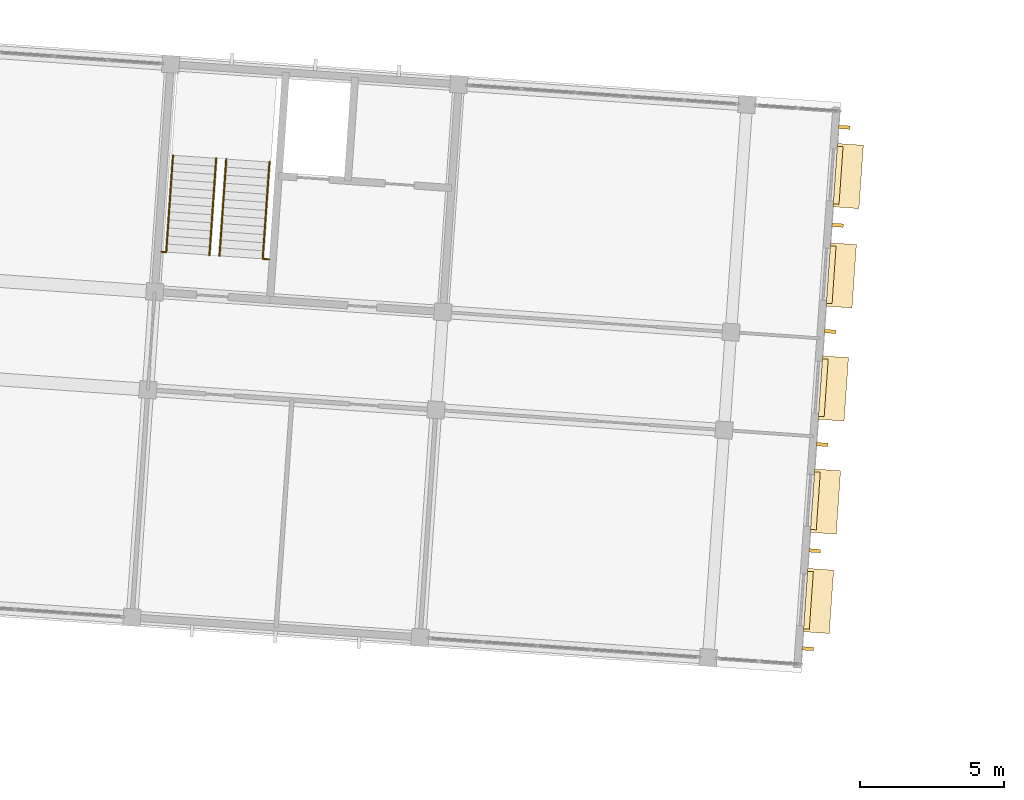
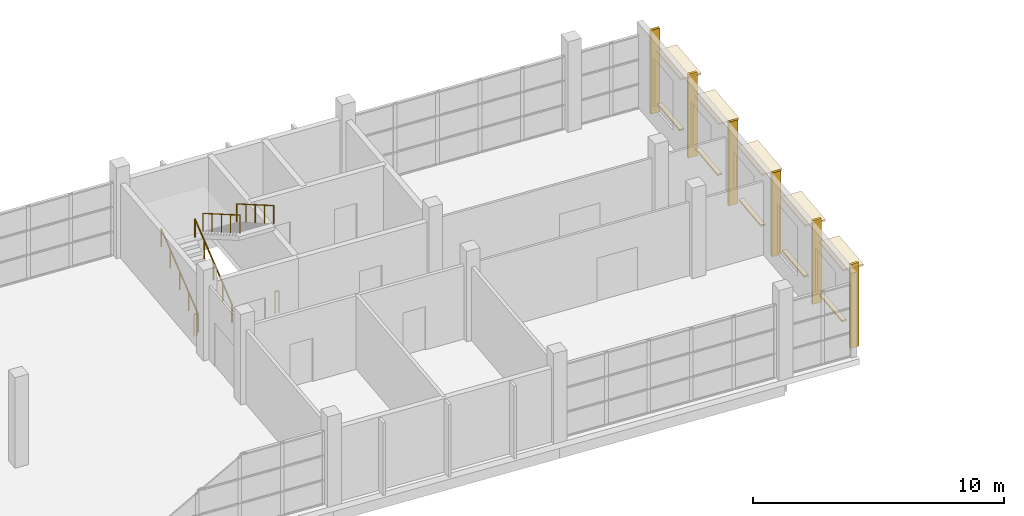
# One storey, part 113 of 115: 10 coverings, 6 railings, 6 shading devices.
"""IFC4 building model written with IfcOpenShell, lengths in metres."""

from ifc_helpers import new_model, si_unit, direction, frame, origin, origin_2d, place, context, subcontext, project, spatial, polyline, circle, outline, extrude, material, layer, layer_set, type_object, element, save


model = new_model("IFC4")

# Units and contexts
model_context = context("Model", 3, precision=1e-05, world=origin(), true_north=direction((0.0, 1.0)))
body_context = subcontext(model_context, "Body", "Model", "MODEL_VIEW")
ifc_project = project(units=[si_unit("LENGTHUNIT", "METRE"), si_unit("AREAUNIT", "SQUARE_METRE"), si_unit("VOLUMEUNIT", "CUBIC_METRE"), si_unit("PLANEANGLEUNIT", "RADIAN"), si_unit("MASSUNIT", "GRAM", prefix="KILO")], contexts=[model_context])

# Site, building, storey
site_placement = place(None, origin())
site = spatial("IfcSite", under=ifc_project, at=site_placement, CompositionType="ELEMENT")
building_placement = place(site_placement, origin())
building = spatial("IfcBuilding", under=site, at=building_placement, Name="Windward Yard Aquatics Centre", CompositionType="ELEMENT")
storey_placement = place(building_placement, frame((0.0, 0.0, 5.0)))
storey = spatial("IfcBuildingStorey", under=building, at=storey_placement, Name="L01", CompositionType="ELEMENT", Elevation=5.0)

# Railings
ifc_material_1 = material(Name="Stainless steel 1.4529", Category="steel")
railing_type_1 = type_object("IfcRailingType", Name="W guard 1100", PredefinedType="GUARDRAIL", material=ifc_material_1)
railing_1_placement = place(storey_placement, frame((148.7763671875, 126.735107421875, 0.0)))
element("IfcRailing", 1, at=railing_1_placement, inside=storey, type_object=railing_type_1, Name="W.GS.E.L01.1", PredefinedType="GUARDRAIL", context=body_context, shape_type="SweptSolid", body=[
    extrude(circle(Radius=0.02392578125, at=origin_2d()), frame((0.0, 0.0, 1.076171875), z_axis=(0.997662565173, -0.068333052409, 0.0), x_axis=(0.068333052409, 0.997662565173, 0.0)), (0.0, 0.0, 1.0), 0.125),
    extrude(circle(Radius=0.02099609375, at=origin_2d()), origin(), (0.0, 0.0, 1.0), 1.052001953125),
    extrude(circle(Radius=0.02099609375, at=origin_2d()), frame((0.124755859375, -0.008544921875, 0.0)), (0.0, 0.0, 1.0), 1.052001953125),
])
railing_2_placement = place(storey_placement, frame((152.3427734375, 126.48583984375, 0.0)))
element("IfcRailing", 2, at=railing_2_placement, inside=storey, type_object=railing_type_1, Name="W.GS.E.L01.2", PredefinedType="GUARDRAIL", context=body_context, shape_type="SweptSolid", body=[
    extrude(circle(Radius=0.02392578125, at=origin_2d()), frame((0.0, 0.0, 1.076171875), z_axis=(0.997563824095, -0.069759707979, 0.0), x_axis=(0.069759707979, 0.997563824095, 0.0)), (0.0, 0.0, 1.0), 0.175048828125),
    extrude(circle(Radius=0.02099609375, at=origin_2d()), origin(), (0.0, 0.0, 1.0), 1.052001953125),
    extrude(circle(Radius=0.02099609375, at=origin_2d()), frame((0.174560546875, -0.01220703125, 0.0)), (0.0, 0.0, 1.0), 1.052001953125),
])
ifc_material_2 = material(Name="Stainless steel 1.4401", Category="steel")
railing_type_2 = type_object("IfcRailingType", Name="W handrail 900", PredefinedType="HANDRAIL", material=ifc_material_2)
for number, where, name in (
    (3, (148.950927734375, 126.722900390625, 0.169189453125), "W.HR.E.L01.1L"),
    (4, (150.447265625, 126.618408203125, 0.169189453125), "W.HR.E.L01.1R"),
):
    element("IfcRailing", number, at=place(storey_placement, frame(where)), inside=storey, type_object=railing_type_2, Name=name, PredefinedType="HANDRAIL", context=body_context, shape_type="SweptSolid", body=[
        extrude(circle(Radius=0.02392578125, at=origin_2d()), frame((0.0, 0.0, 0.8759765625), z_axis=(0.05969805655, 0.853744394147, 0.517258785819), x_axis=(-0.997564177681, 0.06975465151, 0.0)), (0.0, 0.0, 1.0), 3.926025390625),
        extrude(circle(Radius=0.02099609375, at=origin_2d()), origin(), (0.0, 0.0, 1.0), 0.851806640625),
        extrude(circle(Radius=0.02099609375, at=origin_2d()), frame((0.05859375, 0.837890625, 0.5078125)), (0.0, 0.0, 1.0), 0.851806640625),
        extrude(circle(Radius=0.02099609375, at=origin_2d()), frame((0.1171875, 1.67578125, 1.015380859375)), (0.0, 0.0, 1.0), 0.851806640625),
        extrude(circle(Radius=0.02099609375, at=origin_2d()), frame((0.17578125, 2.513916015625, 1.52294921875)), (0.0, 0.0, 1.0), 0.851806640625),
        extrude(circle(Radius=0.02099609375, at=origin_2d()), frame((0.234375, 3.351806640625, 2.03076171875)), (0.0, 0.0, 1.0), 0.851806640625),
    ])
for number, where, name in (
    (5, (151.03076171875, 129.94580078125, 2.369140625), "W.HR.E.L01.2L"),
    (6, (152.527099609375, 129.841064453125, 2.369140625), "W.HR.E.L01.2R"),
):
    element("IfcRailing", number, at=place(storey_placement, frame(where)), inside=storey, type_object=railing_type_2, Name=name, PredefinedType="HANDRAIL", context=body_context, shape_type="SweptSolid", body=[
        extrude(circle(Radius=0.02392578125, at=origin_2d()), frame((0.0, 0.0, 0.8759765625), z_axis=(-0.05969805655, -0.853744394147, 0.517258785819), x_axis=(0.997564177681, -0.06975465151, 0.0)), (0.0, 0.0, 1.0), 3.926025390625),
        extrude(circle(Radius=0.02099609375, at=origin_2d()), origin(), (0.0, 0.0, 1.0), 0.851806640625),
        extrude(circle(Radius=0.02099609375, at=origin_2d()), frame((-0.05859375, -0.837890625, 0.5078125)), (0.0, 0.0, 1.0), 0.851806640625),
        extrude(circle(Radius=0.02099609375, at=origin_2d()), frame((-0.1171875, -1.67578125, 1.015380859375)), (0.0, 0.0, 1.0), 0.851806640625),
        extrude(circle(Radius=0.02099609375, at=origin_2d()), frame((-0.17578125, -2.513916015625, 1.52294921875)), (0.0, 0.0, 1.0), 0.851806640625),
        extrude(circle(Radius=0.02099609375, at=origin_2d()), frame((-0.234375, -3.351806640625, 2.03076171875)), (0.0, 0.0, 1.0), 0.851806640625),
    ])

# Shading devices
ifc_material_3 = material(Name="Timber-look aluminium batten, powder coated", Category="wood")
shading_device_type = type_object("IfcShadingDeviceType", Name="W vertical fin 120x400", PredefinedType="USERDEFINED", material=ifc_material_3)
shading_device_1_placement = place(storey_placement, origin())
element("IfcShadingDevice", 7, at=shading_device_1_placement, inside=storey, type_object=shading_device_type, Name="Vertical fin W.FW.L01.E.0.3.1.1", ObjectType="FIN", PredefinedType="USERDEFINED", context=body_context, shape_type="SweptSolid", body=[
    extrude(outline(polyline([(170.968505859375, 112.943603515625), (170.976806640625, 113.063232421875), (171.375732421875, 113.035400390625), (171.367431640625, 112.915771484375), (170.968505859375, 112.943603515625)])), origin(), (0.0, 0.0, 1.0), 4.070068359375),
])
shading_device_2_placement = place(storey_placement, origin())
element("IfcShadingDevice", 8, at=shading_device_2_placement, inside=storey, type_object=shading_device_type, Name="Vertical fin W.FW.L01.E.0.3.2.1", ObjectType="FIN", PredefinedType="USERDEFINED", context=body_context, shape_type="SweptSolid", body=[
    extrude(outline(polyline([(171.20556640625, 116.335205078125), (171.2138671875, 116.455078125), (171.613037109375, 116.427001953125), (171.6044921875, 116.307373046875), (171.20556640625, 116.335205078125)])), origin(), (0.0, 0.0, 1.0), 4.070068359375),
])
shading_device_3_placement = place(storey_placement, origin())
element("IfcShadingDevice", 9, at=shading_device_3_placement, inside=storey, type_object=shading_device_type, Name="Vertical fin W.FW.L01.E.0.3.3.1", ObjectType="FIN", PredefinedType="USERDEFINED", context=body_context, shape_type="SweptSolid", body=[
    extrude(outline(polyline([(171.462890625, 120.013916015625), (171.47119140625, 120.133544921875), (171.8701171875, 120.105712890625), (171.86181640625, 119.98583984375), (171.462890625, 120.013916015625)])), origin(), (0.0, 0.0, 1.0), 4.070068359375),
])
shading_device_4_placement = place(storey_placement, origin())
element("IfcShadingDevice", 10, at=shading_device_4_placement, inside=storey, type_object=shading_device_type, Name="Vertical fin W.FW.L01.E.0.3.4.1", ObjectType="FIN", PredefinedType="USERDEFINED", context=body_context, shape_type="SweptSolid", body=[
    extrude(outline(polyline([(171.736572265625, 123.92919921875), (171.7451171875, 124.049072265625), (172.14404296875, 124.02099609375), (172.135498046875, 123.9013671875), (171.736572265625, 123.92919921875)])), origin(), (0.0, 0.0, 1.0), 4.070068359375),
])
shading_device_5_placement = place(storey_placement, origin())
element("IfcShadingDevice", 11, at=shading_device_5_placement, inside=storey, type_object=shading_device_type, Name="Vertical fin W.FW.L01.E.0.3.5.1", ObjectType="FIN", PredefinedType="USERDEFINED", context=body_context, shape_type="SweptSolid", body=[
    extrude(outline(polyline([(171.993896484375, 127.60791015625), (172.002197265625, 127.7275390625), (172.401123046875, 127.69970703125), (172.392822265625, 127.579833984375), (171.993896484375, 127.60791015625)])), origin(), (0.0, 0.0, 1.0), 4.070068359375),
])
shading_device_6_placement = place(storey_placement, origin())
element("IfcShadingDevice", 12, at=shading_device_6_placement, inside=storey, type_object=shading_device_type, Name="Vertical fin W.FW.L01.E.0.3.6.1", ObjectType="FIN", PredefinedType="USERDEFINED", context=body_context, shape_type="SweptSolid", body=[
    extrude(outline(polyline([(172.23095703125, 130.99951171875), (172.239501953125, 131.119140625), (172.638427734375, 131.09130859375), (172.6298828125, 130.9716796875), (172.23095703125, 130.99951171875)])), origin(), (0.0, 0.0, 1.0), 4.070068359375),
])

# Coverings
ifc_material_4 = material(Name="Aluminium composite hood, powder coated", Category="aluminium")
ifc_layer_1 = layer(ifc_material_4, 0.080078125)
ifc_layer_set_1 = layer_set([ifc_layer_1], Name="W window hood aluminium 2200x900")
covering_type_1 = type_object("IfcCoveringType", Name="W window hood aluminium 2200x900", PredefinedType="CLADDING", material=ifc_layer_set_1)
covering_1_placement = place(storey_placement, frame((0.0, 0.0, 3.35009765625)))
element("IfcCovering", 13, at=covering_1_placement, inside=storey, type_object=covering_type_1, Name="Window hood W1501", PredefinedType="CLADDING", context=body_context, shape_type="SweptSolid", body=[
    extrude(outline(polyline([(171.0126953125, 113.576904296875), (171.166259765625, 115.771728515625), (172.06396484375, 115.708984375), (171.910400390625, 113.514404296875), (171.0126953125, 113.576904296875)])), origin(), (0.0, 0.0, 1.0), 0.079833984375),
])
covering_2_placement = place(storey_placement, frame((0.0, 0.0, 3.35009765625)))
element("IfcCovering", 14, at=covering_2_placement, inside=storey, type_object=covering_type_1, Name="Window hood W1502", PredefinedType="CLADDING", context=body_context, shape_type="SweptSolid", body=[
    extrude(outline(polyline([(171.25341796875, 117.0185546875), (171.40673828125, 119.21337890625), (172.3046875, 119.150390625), (172.151123046875, 116.955810546875), (171.25341796875, 117.0185546875)])), origin(), (0.0, 0.0, 1.0), 0.079833984375),
])
covering_3_placement = place(storey_placement, frame((0.0, 0.0, 3.35009765625)))
element("IfcCovering", 15, at=covering_3_placement, inside=storey, type_object=covering_type_1, Name="Window hood W1503", PredefinedType="CLADDING", context=body_context, shape_type="SweptSolid", body=[
    extrude(outline(polyline([(171.527099609375, 120.93408203125), (171.6806640625, 123.128662109375), (172.578369140625, 123.06591796875), (172.425048828125, 120.871337890625), (171.527099609375, 120.93408203125)])), origin(), (0.0, 0.0, 1.0), 0.079833984375),
])
covering_4_placement = place(storey_placement, frame((0.0, 0.0, 3.35009765625)))
element("IfcCovering", 16, at=covering_4_placement, inside=storey, type_object=covering_type_1, Name="Window hood W1504", PredefinedType="CLADDING", context=body_context, shape_type="SweptSolid", body=[
    extrude(outline(polyline([(171.801025390625, 124.849609375), (171.954345703125, 127.044189453125), (172.852294921875, 126.9814453125), (172.69873046875, 124.78662109375), (171.801025390625, 124.849609375)])), origin(), (0.0, 0.0, 1.0), 0.079833984375),
])
covering_5_placement = place(storey_placement, frame((0.0, 0.0, 3.35009765625)))
element("IfcCovering", 17, at=covering_5_placement, inside=storey, type_object=covering_type_1, Name="Window hood W1505", PredefinedType="CLADDING", context=body_context, shape_type="SweptSolid", body=[
    extrude(outline(polyline([(172.04150390625, 128.291015625), (172.195068359375, 130.485595703125), (173.093017578125, 130.423095703125), (172.939453125, 128.228271484375), (172.04150390625, 128.291015625)])), origin(), (0.0, 0.0, 1.0), 0.079833984375),
])
ifc_material_5 = material(Name="Limestone sill", Category="masonry")
ifc_layer_2 = layer(ifc_material_5, 0.080078125)
ifc_layer_set_2 = layer_set([ifc_layer_2], Name="W window sill stone 2000x200")
covering_type_2 = type_object("IfcCoveringType", Name="W window sill stone 2000x200", PredefinedType="CLADDING", material=ifc_layer_set_2)
covering_6_placement = place(storey_placement, frame((0.0, 0.0, 0.820068359375)))
element("IfcCovering", 18, at=covering_6_placement, inside=storey, type_object=covering_type_2, Name="Window sill W1501", PredefinedType="CLADDING", context=body_context, shape_type="SweptSolid", body=[
    extrude(outline(polyline([(171.019775390625, 113.6767578125), (171.1591796875, 115.671875), (171.358642578125, 115.657958984375), (171.21923828125, 113.662841796875), (171.019775390625, 113.6767578125)])), origin(), (0.0, 0.0, 1.0), 0.079833984375),
])
covering_7_placement = place(storey_placement, frame((0.0, 0.0, 0.820068359375)))
element("IfcCovering", 19, at=covering_7_placement, inside=storey, type_object=covering_type_2, Name="Window sill W1502", PredefinedType="CLADDING", context=body_context, shape_type="SweptSolid", body=[
    extrude(outline(polyline([(171.26025390625, 117.118408203125), (171.39990234375, 119.113525390625), (171.599365234375, 119.099609375), (171.459716796875, 117.1044921875), (171.26025390625, 117.118408203125)])), origin(), (0.0, 0.0, 1.0), 0.079833984375),
])
covering_8_placement = place(storey_placement, frame((0.0, 0.0, 0.820068359375)))
element("IfcCovering", 20, at=covering_8_placement, inside=storey, type_object=covering_type_2, Name="Window sill W1503", PredefinedType="CLADDING", context=body_context, shape_type="SweptSolid", body=[
    extrude(outline(polyline([(171.5341796875, 121.03369140625), (171.673583984375, 123.029052734375), (171.873291015625, 123.014892578125), (171.733642578125, 121.02001953125), (171.5341796875, 121.03369140625)])), origin(), (0.0, 0.0, 1.0), 0.079833984375),
])
covering_9_placement = place(storey_placement, frame((0.0, 0.0, 0.820068359375)))
element("IfcCovering", 21, at=covering_9_placement, inside=storey, type_object=covering_type_2, Name="Window sill W1504", PredefinedType="CLADDING", context=body_context, shape_type="SweptSolid", body=[
    extrude(outline(polyline([(171.807861328125, 124.94921875), (171.947509765625, 126.9443359375), (172.14697265625, 126.930419921875), (172.007568359375, 124.935302734375), (171.807861328125, 124.94921875)])), origin(), (0.0, 0.0, 1.0), 0.079833984375),
])
covering_10_placement = place(storey_placement, frame((0.0, 0.0, 0.820068359375)))
element("IfcCovering", 22, at=covering_10_placement, inside=storey, type_object=covering_type_2, Name="Window sill W1505", PredefinedType="CLADDING", context=body_context, shape_type="SweptSolid", body=[
    extrude(outline(polyline([(172.048583984375, 128.390869140625), (172.18798828125, 130.385986328125), (172.3876953125, 130.3720703125), (172.248046875, 128.376953125), (172.048583984375, 128.390869140625)])), origin(), (0.0, 0.0, 1.0), 0.079833984375),
])

save(model, "model.ifc")
